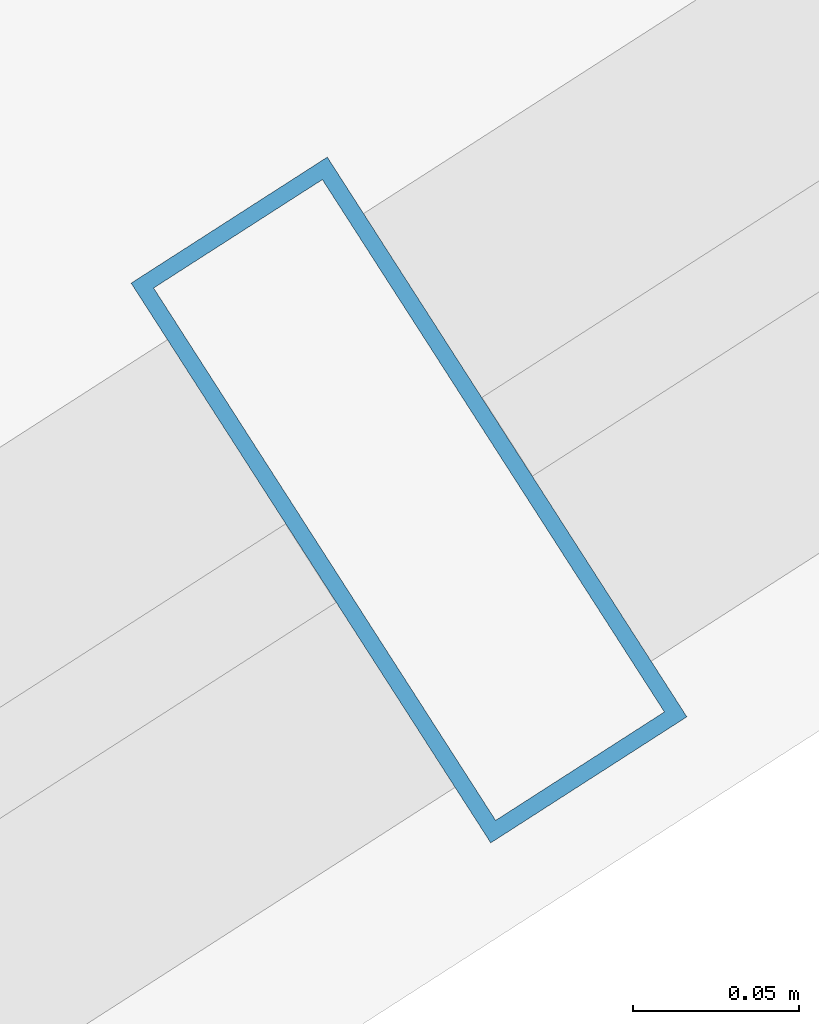
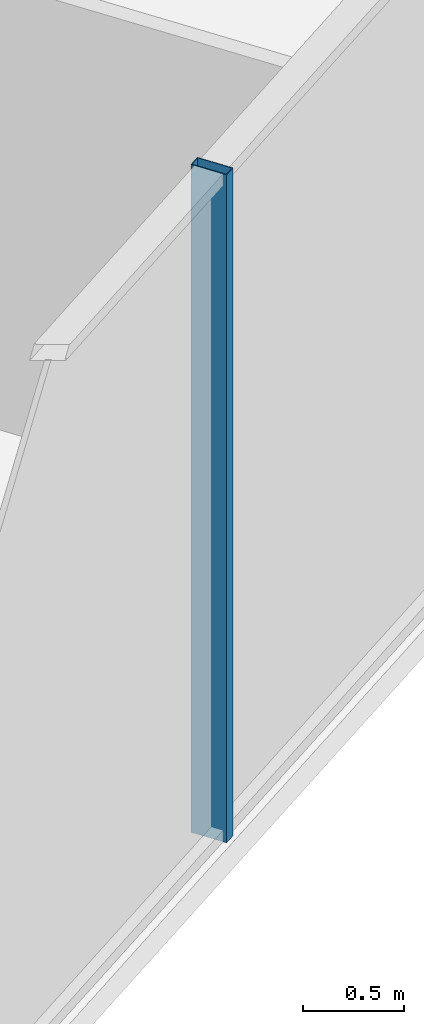
# One storey, part 9 of 35: 1 member, 1 element without a shape of its own.
"""IFC4 building model written with IfcOpenShell, lengths in metres."""

from ifc_helpers import new_model, si_unit, direction, frame, origin, origin_2d, place, context, subcontext, project, spatial, hollow_rectangle, extrude, material, layer, layer_set, material_profile, profile_set, type_object, element, aggregate, save


model = new_model("IFC4")

# Units and contexts
model_context = context("Model", 3, precision=1e-05, world=origin(), true_north=direction((0.0, 1.0)))
body_context = subcontext(model_context, "Body", "Model", "MODEL_VIEW")
ifc_project = project(units=[si_unit("LENGTHUNIT", "METRE"), si_unit("AREAUNIT", "SQUARE_METRE"), si_unit("VOLUMEUNIT", "CUBIC_METRE"), si_unit("PLANEANGLEUNIT", "RADIAN"), si_unit("MASSUNIT", "GRAM", prefix="KILO")], contexts=[model_context])

# Site, building, storey
site_placement = place(None, origin())
site = spatial("IfcSite", under=ifc_project, at=site_placement, CompositionType="ELEMENT")
building_placement = place(site_placement, origin())
building = spatial("IfcBuilding", under=site, at=building_placement, Name="Tarsis Ring Headquarters", CompositionType="ELEMENT")
storey_placement = place(building_placement, frame((0.0, 0.0, 360.800048828125)))
storey = spatial("IfcBuildingStorey", under=building, at=storey_placement, Name="L85", CompositionType="ELEMENT", Elevation=360.800048828125)

# Curtain wall, member
ifc_material_1 = material(Name="Aluminium curtain wall", Category="aluminium")
ifc_layer = layer(ifc_material_1, 0.199951171875)
ifc_layer_set = layer_set([ifc_layer], Name="Curtain wall executive tip")
curtain_wall_type = type_object("IfcCurtainWallType", Name="Curtain wall executive tip", PredefinedType="NOTDEFINED", material=ifc_layer_set)
curtain_wall_placement = place(storey_placement, origin())
curtain_wall = element("IfcCurtainWall", 1, at=curtain_wall_placement, inside=storey, type_object=curtain_wall_type, Name="Curtain wall L85-11", PredefinedType="NOTDEFINED")
ifc_material_2 = material(Name="Aluminium mullion", Category="aluminium")
ifc_material_profile = material_profile(ifc_material_2, hollow_rectangle(XDim=0.199951171875, YDim=0.070068359375, WallThickness=0.0048828125, at=origin_2d()), Name="RHS 200x70x5")
ifc_profile_set = profile_set([ifc_material_profile], Name="Aluminium mullion")
member_type = type_object("IfcMemberType", Name="Curtain wall mullion executive tip RHS 200x70x5", PredefinedType="MULLION", material=ifc_profile_set)
member_placement = place(storey_placement, frame((17.2294921875, -26.817138671875, 0.0), z_axis=(0.0, 0.0, 1.0), x_axis=(-0.540534064595, 0.841322129159, 0.0)))
member = element("IfcMember", 2, at=member_placement, type_object=member_type, Name="CW-E mullion 3", PredefinedType="MULLION", context=body_context, shape_type="SweptSolid", body=[
    extrude(hollow_rectangle(XDim=0.199951171875, YDim=0.070068359375, WallThickness=0.0048828125, at=origin_2d()), origin(), (0.0, 0.0, 1.0), 4.0400390625),
])
aggregate(curtain_wall, [member])

save(model, "model.ifc")
